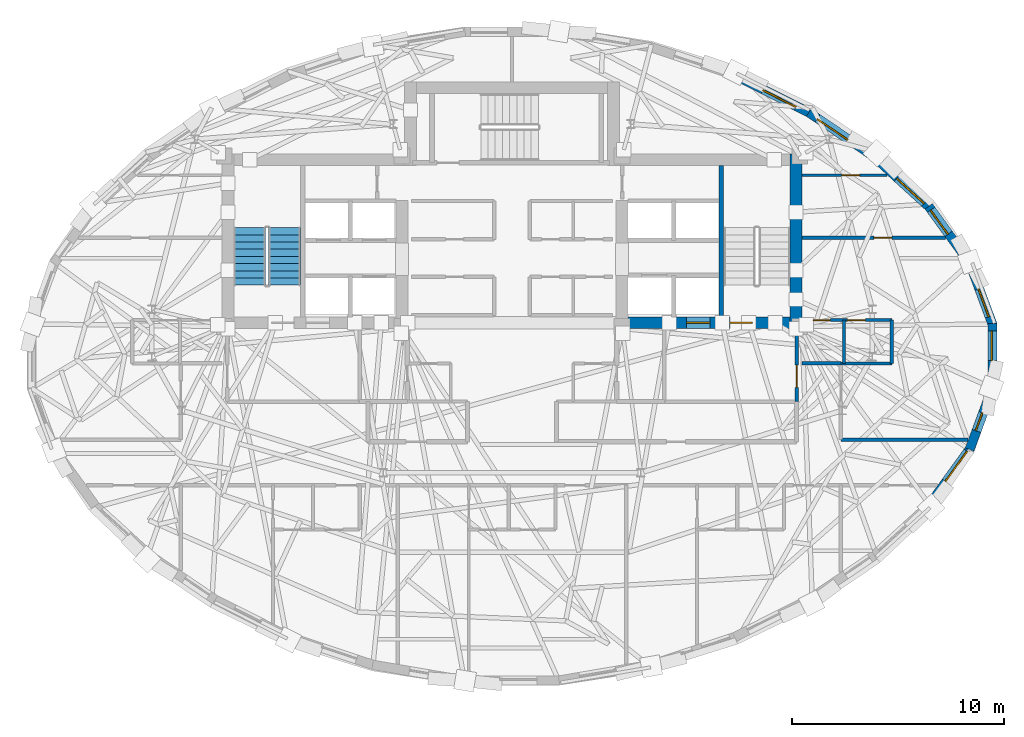
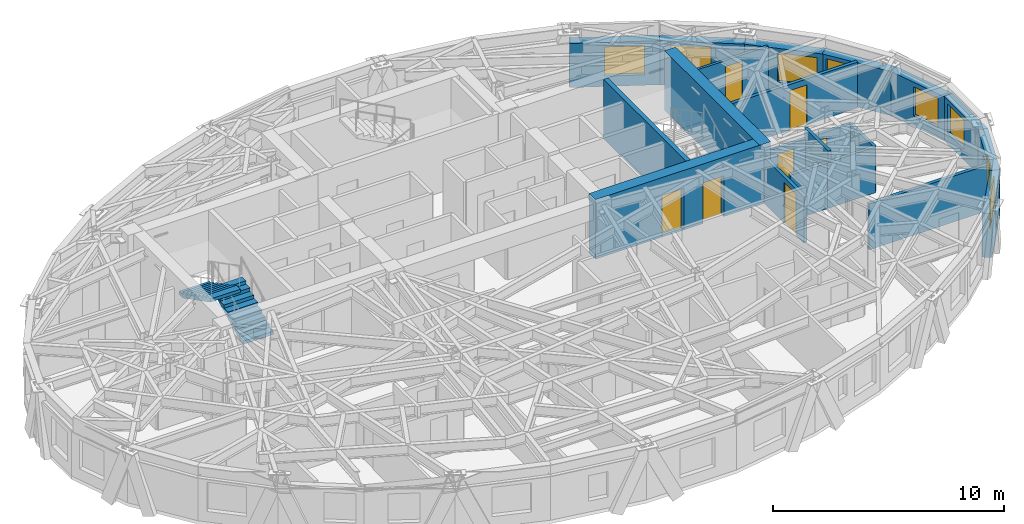
# One storey, part 10 of 14: 20 walls, 8 windows, 7 doors, 2 stair flights, 15 openings, 1 element without a shape of its own.
"""IFC4 building model written with IfcOpenShell, lengths in metres."""

from ifc_helpers import new_model, si_unit, direction, frame, frame_2d, origin, place, context, subcontext, project, spatial, polyline, rectangle, outline, extrude, material, layer, layer_set, type_object, element, fill, aggregate, save


model = new_model("IFC4")

# Units and contexts
model_context = context("Model", 3, precision=1e-05, world=origin(), true_north=direction((0.0, 1.0)))
body_context = subcontext(model_context, "Body", "Model", "MODEL_VIEW")
ifc_project = project(units=[si_unit("LENGTHUNIT", "METRE"), si_unit("AREAUNIT", "SQUARE_METRE"), si_unit("VOLUMEUNIT", "CUBIC_METRE"), si_unit("PLANEANGLEUNIT", "RADIAN"), si_unit("MASSUNIT", "GRAM", prefix="KILO")], contexts=[model_context])

# Site, building, storey
site_placement = place(None, origin())
site = spatial("IfcSite", under=ifc_project, at=site_placement, CompositionType="ELEMENT")
building_placement = place(site_placement, origin())
building = spatial("IfcBuilding", under=site, at=building_placement, Name="Keldmark Tower", CompositionType="ELEMENT")
storey_placement = place(building_placement, frame((0.0, 0.0, 222.60009765625)))
storey = spatial("IfcBuildingStorey", under=building, at=storey_placement, Name="L62", CompositionType="ELEMENT", Elevation=222.60009765625)

# Wall
ifc_material_1 = material(Name="Concrete C50/60", Category="concrete")
ifc_layer_1 = layer(ifc_material_1, 0.550048828125)
ifc_layer_set_1 = layer_set([ifc_layer_1], Name="Concrete C50/60")
wall_type_1 = type_object("IfcWallType", Name="High-Rise Core Shear Wall 550 mm", PredefinedType="SHEAR", material=ifc_layer_set_1)
wall_1_placement = place(storey_placement, frame((13.425048828125, 1.300048828125, 0.0), z_axis=(0.0, 0.0, 1.0), x_axis=(0.0, 1.0, 0.0)))
element("IfcWall", 1, at=wall_1_placement, inside=storey, type_object=wall_type_1, Name="L62 East Core Outer Shear Wall", PredefinedType="SHEAR", context=body_context, shape_type="SweptSolid", body=[
    extrude(rectangle(XDim=8.25, YDim=0.550048828125, at=frame_2d((4.125, 0.0))), origin(), (0.0, 0.0, 1.0), 3.14990234375),
])

# Wall, openings, doors
wall_2_placement = place(storey_placement, frame((13.699951171875, 1.574951171875, 0.0), z_axis=(0.0, 0.0, 1.0), x_axis=(-1.0, 0.0, 0.0)))
wall_2 = element("IfcWall", 2, at=wall_2_placement, inside=storey, type_object=wall_type_1, Name="L62 East Core South Shear Wall", PredefinedType="SHEAR", context=body_context, shape_type="SweptSolid", body=[
    extrude(rectangle(XDim=8.77490234375, YDim=0.550048828125, at=frame_2d((4.387451171875, 0.0))), origin(), (0.0, 0.0, 1.0), 3.14990234375),
])
opening_1_placement = place(wall_2_placement, frame((2.35009765625, 0.0, 0.0)))
opening_1 = element("IfcOpeningElement", 3, at=opening_1_placement, cuts=wall_2, Name="Opening D-ST105", PredefinedType="OPENING", context=body_context, shape_type="SweptSolid", body=[
    extrude(rectangle(XDim=1.050048828125, YDim=2.14990234375, at=frame_2d((0.52490234375, 1.074951171875))), frame((0.0, 0.284912109375, 0.0), z_axis=(0.0, -1.0, 0.0), x_axis=(1.0, 0.0, 0.0)), (0.0, 0.0, 1.0), 0.570068359375),
])
opening_2_placement = place(wall_2_placement, frame((4.35009765625, 0.0, 0.0)))
opening_2 = element("IfcOpeningElement", 4, at=opening_2_placement, cuts=wall_2, Name="Opening LD-110", PredefinedType="OPENING", context=body_context, shape_type="SweptSolid", body=[
    extrude(rectangle(XDim=1.10009765625, YDim=2.199951171875, at=frame_2d((0.550048828125, 1.10009765625))), frame((0.0, 0.284912109375, 0.0), z_axis=(0.0, -1.0, 0.0), x_axis=(1.0, 0.0, 0.0)), (0.0, 0.0, 1.0), 0.570068359375),
])
ifc_material_2 = material(Name="Brushed Bronze Hoistway Sliding Leaf", Category="metal")
door_type_1 = type_object("IfcDoorType", Name="Lift Landing Sliding Door 1100x2200", OperationType="SLIDING_TO_LEFT", PredefinedType="DOOR", material=ifc_material_2)
door_1_placement = place(opening_2_placement, origin())
door_1 = element("IfcDoor", 5, at=door_1_placement, inside=storey, type_object=door_type_1, Name="L62 Lift Landing Sliding Door 1100x2200 LD-EL-FS2-L62", OperationType="SLIDING_TO_LEFT", OverallHeight=2.199951171875, OverallWidth=1.10009765625, PredefinedType="DOOR", context=body_context, shape_type="SweptSolid", body=[
    extrude(rectangle(XDim=1.10009765625, YDim=2.199951171875, at=frame_2d((0.550048828125, 1.10009765625))), frame((0.0, 0.02490234375, 0.0), z_axis=(0.0, -1.0, 0.0), x_axis=(1.0, 0.0, 0.0)), (0.0, 0.0, 1.0), 0.050048828125),
])
fill(opening_2, door_1)
ifc_material_3 = material(Name="Hollow Metal Fire-Rated Door Assembly", Category="metal")
door_type_2 = type_object("IfcDoorType", Name="Stair Fire Door 1050x2150", OperationType="NOTDEFINED", PredefinedType="DOOR", material=ifc_material_3)
door_2_placement = place(opening_1_placement, origin())
door_2 = element("IfcDoor", 6, at=door_2_placement, inside=storey, type_object=door_type_2, Name="L62 Stair Fire Door 1050x2150 D-ST2-L62", OperationType="SINGLE_SWING_LEFT", OverallHeight=2.14990234375, OverallWidth=1.050048828125, PredefinedType="DOOR", context=body_context, shape_type="SweptSolid", body=[
    extrude(rectangle(XDim=1.050048828125, YDim=2.14990234375, at=frame_2d((0.52490234375, 1.074951171875))), frame((0.0, 0.02490234375, 0.0), z_axis=(0.0, -1.0, 0.0), x_axis=(1.0, 0.0, 0.0)), (0.0, 0.0, 1.0), 0.050048828125),
])
fill(opening_1, door_2)

# Wall, opening, door
ifc_material_4 = material(Name="Acoustic Gypsum Board Interior Partition", Category="gypsum")
ifc_layer_2 = layer(ifc_material_4, 0.1298828125)
ifc_layer_set_2 = layer_set([ifc_layer_2], Name="Acoustic Gypsum Board Interior Partition")
wall_type_2 = type_object("IfcWallType", Name="Interior Partition 130 mm", PredefinedType="PARTITIONING", material=ifc_layer_set_2)
wall_3_placement = place(storey_placement, frame((13.699951171875, 8.550048828125, 0.0), z_axis=(0.0, 0.0, 1.0), x_axis=(1.0, 0.0, 0.0)))
wall_3 = element("IfcWall", 7, at=wall_3_placement, inside=storey, type_object=wall_type_2, Name="L62 Interior Partition 130 mm UE-NDIV2", PredefinedType="PARTITIONING", context=body_context, shape_type="SweptSolid", body=[
    extrude(rectangle(XDim=4.036865234375, YDim=0.1298828125, at=frame_2d((2.0185546875, 0.0))), origin(), (0.0, 0.0, 1.0), 2.4228515625),
])
opening_3_placement = place(wall_3_placement, frame((1.87890625, 0.0, 0.0)))
opening_3 = element("IfcOpeningElement", 8, at=opening_3_placement, cuts=wall_3, Name="Opening D-IN085", PredefinedType="OPENING", context=body_context, shape_type="SweptSolid", body=[
    extrude(rectangle(XDim=0.85009765625, YDim=2.10009765625, at=frame_2d((0.425048828125, 1.050048828125))), frame((0.0, 0.074951171875, 0.0), z_axis=(0.0, -1.0, 0.0), x_axis=(1.0, 0.0, 0.0)), (0.0, 0.0, 1.0), 0.14990234375),
])
ifc_material_5 = material(Name="Painted Architectural Wood", Category="wood")
door_type_3 = type_object("IfcDoorType", Name="Interior Door 850x2100", OperationType="NOTDEFINED", PredefinedType="DOOR", material=ifc_material_5)
door_3_placement = place(opening_3_placement, origin())
door_3 = element("IfcDoor", 9, at=door_3_placement, inside=storey, type_object=door_type_3, Name="L62 Interior Door 850x2100 D-UE-BR2-L62", OperationType="SINGLE_SWING_RIGHT", OverallHeight=2.10009765625, OverallWidth=0.85009765625, PredefinedType="DOOR", context=body_context, shape_type="SweptSolid", body=[
    extrude(rectangle(XDim=0.85009765625, YDim=2.10009765625, at=frame_2d((0.425048828125, 1.050048828125))), frame((0.0, 0.02490234375, 0.0), z_axis=(0.0, -1.0, 0.0), x_axis=(1.0, 0.0, 0.0)), (0.0, 0.0, 1.0), 0.050048828125),
])
fill(opening_3, door_3)

ifc_material_6 = material(Name="Type X Fire-Rated Gypsum Partition Assembly", Category="gypsum")
ifc_layer_3 = layer(ifc_material_6, 0.1650390625)
ifc_layer_set_3 = layer_set([ifc_layer_3], Name="Type X Fire-Rated Gypsum Partition Assembly")
wall_type_3 = type_object("IfcWallType", Name="Rated Partition 165 mm", PredefinedType="PARTITIONING", material=ifc_layer_set_3)
wall_4_placement = place(storey_placement, frame((13.449951171875, -2.14990234375, 0.0), z_axis=(0.0, 0.0, 1.0), x_axis=(0.0, 1.0, 0.0)))
wall_4 = element("IfcWall", 10, at=wall_4_placement, inside=storey, type_object=wall_type_3, Name="L62 Rated Partition 165 mm FSAE-E-E", PredefinedType="PARTITIONING", context=body_context, shape_type="SweptSolid", body=[
    extrude(rectangle(XDim=3.5, YDim=0.1650390625, at=frame_2d((1.75, 0.0))), origin(), (0.0, 0.0, 1.0), 2.4228515625),
])
opening_4_placement = place(wall_4_placement, frame((0.669921875, 0.0, 0.0)))
opening_4 = element("IfcOpeningElement", 11, at=opening_4_placement, cuts=wall_4, Name="Opening D-FL105", PredefinedType="OPENING", context=body_context, shape_type="SweptSolid", body=[
    extrude(rectangle(XDim=1.050048828125, YDim=2.14990234375, at=frame_2d((0.52490234375, 1.074951171875))), frame((0.0, 0.092529296875, 0.0), z_axis=(0.0, -1.0, 0.0), x_axis=(1.0, 0.0, 0.0)), (0.0, 0.0, 1.0), 0.18505859375),
])
ifc_material_7 = material(Name="Fire-Rated Mineral-Core Door and Vision Lite", Category="metal")
door_type_4 = type_object("IfcDoorType", Name="Fire Lobby Door 1050x2150", OperationType="NOTDEFINED", PredefinedType="DOOR", material=ifc_material_7)
door_4_placement = place(opening_4_placement, origin())
door_4 = element("IfcDoor", 12, at=door_4_placement, inside=storey, type_object=door_type_4, Name="L62 Fire Lobby Door 1050x2150 D-FSAEE-OUT-L62", OperationType="SINGLE_SWING_RIGHT", OverallHeight=2.14990234375, OverallWidth=1.050048828125, PredefinedType="DOOR", context=body_context, shape_type="SweptSolid", body=[
    extrude(rectangle(XDim=1.050048828125, YDim=2.14990234375, at=frame_2d((0.52490234375, 1.074951171875))), frame((0.0, 0.02490234375, 0.0), z_axis=(0.0, -1.0, 0.0), x_axis=(1.0, 0.0, 0.0)), (0.0, 0.0, 1.0), 0.050048828125),
])
fill(opening_4, door_4)

# Walls
wall_5_placement = place(storey_placement, frame((15.550048828125, -3.949951171875, 0.0), z_axis=(0.0, 0.0, 1.0), x_axis=(1.0, 0.0, 0.0)))
element("IfcWall", 13, at=wall_5_placement, inside=storey, type_object=wall_type_3, Name="L62 Rated Partition 165 mm RCOR-EN-OUT", PredefinedType="PARTITIONING", context=body_context, shape_type="SweptSolid", body=[
    extrude(rectangle(XDim=6.012451171875, YDim=0.1650390625, at=frame_2d((3.00634765625, 0.0))), origin(), (0.0, 0.0, 1.0), 2.4228515625),
])
wall_6_placement = place(storey_placement, frame((13.699951171875, -0.35009765625, 0.0), z_axis=(0.0, 0.0, 1.0), x_axis=(1.0, 0.0, 0.0)))
element("IfcWall", 14, at=wall_6_placement, inside=storey, type_object=wall_type_3, Name="L62 Rated Partition 165 mm RCOR-VEN", PredefinedType="PARTITIONING", context=body_context, shape_type="SweptSolid", body=[
    extrude(rectangle(XDim=1.85009765625, YDim=0.1650390625, at=frame_2d((0.925048828125, 0.0))), origin(), (0.0, 0.0, 1.0), 2.4228515625),
])

# Wall, opening, door
wall_7_placement = place(storey_placement, frame((13.699951171875, 5.60009765625, 0.0), z_axis=(0.0, 0.0, 1.0), x_axis=(1.0, 0.0, 0.0)))
wall_7 = element("IfcWall", 15, at=wall_7_placement, inside=storey, type_object=wall_type_3, Name="L62 Rated Partition 165 mm RE-NDIV", PredefinedType="PARTITIONING", context=body_context, shape_type="SweptSolid", body=[
    extrude(rectangle(XDim=6.785400390625, YDim=0.1650390625, at=frame_2d((3.392578125, 0.0))), origin(), (0.0, 0.0, 1.0), 2.4228515625),
])
opening_5_placement = place(wall_7_placement, frame((3.405029296875, 0.0, 0.0)))
opening_5 = element("IfcOpeningElement", 16, at=opening_5_placement, cuts=wall_7, Name="Opening D-BR085", PredefinedType="OPENING", context=body_context, shape_type="SweptSolid", body=[
    extrude(rectangle(XDim=0.85009765625, YDim=2.10009765625, at=frame_2d((0.425048828125, 1.050048828125))), frame((0.0, 0.092529296875, 0.0), z_axis=(0.0, -1.0, 0.0), x_axis=(1.0, 0.0, 0.0)), (0.0, 0.0, 1.0), 0.18505859375),
])
ifc_material_8 = material(Name="Solid-Core Stained Walnut Wood", Category="wood")
door_type_5 = type_object("IfcDoorType", Name="Bedroom Door 850x2100", OperationType="NOTDEFINED", PredefinedType="DOOR", material=ifc_material_8)
door_5_placement = place(opening_5_placement, origin())
door_5 = element("IfcDoor", 17, at=door_5_placement, inside=storey, type_object=door_type_5, Name="L62 Bedroom Door 850x2100 D-UE-BR1-L62", OperationType="SINGLE_SWING_LEFT", OverallHeight=2.10009765625, OverallWidth=0.85009765625, PredefinedType="DOOR", context=body_context, shape_type="SweptSolid", body=[
    extrude(rectangle(XDim=0.85009765625, YDim=2.10009765625, at=frame_2d((0.425048828125, 1.050048828125))), frame((0.0, 0.02490234375, 0.0), z_axis=(0.0, -1.0, 0.0), x_axis=(1.0, 0.0, 0.0)), (0.0, 0.0, 1.0), 0.050048828125),
])
fill(opening_5, door_5)

# Wall
ifc_material_9 = material(Name="Concrete C50/60", Category="concrete")
ifc_layer_4 = layer(ifc_material_9, 0.219970703125)
ifc_layer_set_4 = layer_set([ifc_layer_4], Name="Concrete C50/60")
wall_type_4 = type_object("IfcWallType", Name="Stair Core Shear Wall 220 mm", PredefinedType="SHEAR", material=ifc_layer_set_4)
wall_8_placement = place(storey_placement, frame((9.889892578125, 1.85009765625, 0.0), z_axis=(0.0, 0.0, 1.0), x_axis=(0.0, 1.0, 0.0)))
element("IfcWall", 18, at=wall_8_placement, inside=storey, type_object=wall_type_4, Name="L62 East Stair Core Shear Wall", PredefinedType="SHEAR", context=body_context, shape_type="SweptSolid", body=[
    extrude(rectangle(XDim=7.14990234375, YDim=0.219970703125, at=frame_2d((3.574951171875, 0.0))), origin(), (0.0, 0.0, 1.0), 3.14990234375),
])

# Wall, opening, window
ifc_material_10 = material(Name="Ironspot Manganese Brick and Kasota Buff Limestone Spandrel Assembly", Category="masonry")
ifc_layer_5 = layer(ifc_material_10, 0.43994140625)
ifc_layer_set_5 = layer_set([ifc_layer_5], Name="Ironspot Manganese Brick and Kasota Buff Limestone Spandrel Assembly")
wall_type_5 = type_object("IfcWallType", Name="Tower Brick Pier and Spandrel Wall 440 mm", PredefinedType="STANDARD", material=ifc_layer_set_5)
wall_9_placement = place(storey_placement, frame((21.633056640625, 4.416748046875, 0.0), z_axis=(0.0, 0.0, 1.0), x_axis=(0.346755155412, -0.937955682426, 0.0)))
wall_9 = element("IfcWall", 19, at=wall_9_placement, inside=storey, type_object=wall_type_5, Name="L62 Exterior Brick and Spandrel Wall 01", PredefinedType="STANDARD", context=body_context, shape_type="SweptSolid", body=[
    extrude(rectangle(XDim=3.156982421875, YDim=0.43994140625, at=frame_2d((1.57861328125, 0.0))), origin(), (0.0, 0.0, 1.0), 2.3359375),
])
opening_6_placement = place(wall_9_placement, frame((1.314697265625, 0.0, 0.550048828125)))
opening_6 = element("IfcOpeningElement", 20, at=opening_6_placement, cuts=wall_9, Name="Opening W-08", PredefinedType="OPENING", context=body_context, shape_type="SweptSolid", body=[
    extrude(rectangle(XDim=1.39990234375, YDim=1.550048828125, at=frame_2d((0.699951171875, 0.77490234375))), frame((0.0, 0.22998046875, 0.0), z_axis=(0.0, -1.0, 0.0), x_axis=(1.0, 0.0, 0.0)), (0.0, 0.0, 1.0), 0.4599609375),
])
ifc_material_11 = material(Name="Thermally Broken Anodized Aluminum and Triple Low-E Argon Glazing", Category="aluminium")
window_type_1 = type_object("IfcWindowType", Name="Residential Corner Punched Window 1400x1550", PartitioningType="SINGLE_PANEL", PredefinedType="WINDOW", material=ifc_material_11)
window_1_placement = place(opening_6_placement, origin())
window_1 = element("IfcWindow", 21, at=window_1_placement, inside=storey, type_object=window_type_1, Name="L62 Deep-Set Window 01", OverallHeight=1.550048828125, OverallWidth=1.39990234375, PartitioningType="SINGLE_PANEL", PredefinedType="WINDOW", context=body_context, shape_type="SweptSolid", body=[
    extrude(rectangle(XDim=1.39990234375, YDim=1.550048828125, at=frame_2d((0.699951171875, 0.77490234375))), frame((0.0, -0.010009765625, 0.0), z_axis=(0.0, -1.0, 0.0), x_axis=(1.0, 0.0, 0.0)), (0.0, 0.0, 1.0), 0.06005859375),
])
fill(opening_6, window_1)

wall_10_placement = place(storey_placement, frame((19.6982421875, 7.076171875, 0.0), z_axis=(0.0, 0.0, 1.0), x_axis=(0.586344849721, -0.810061551492, 0.0)))
wall_10 = element("IfcWall", 22, at=wall_10_placement, inside=storey, type_object=wall_type_5, Name="L62 Exterior Brick and Spandrel Wall 02", PredefinedType="STANDARD", context=body_context, shape_type="SweptSolid", body=[
    extrude(rectangle(XDim=3.34814453125, YDim=0.43994140625, at=frame_2d((1.674072265625, 0.0))), origin(), (0.0, 0.0, 1.0), 2.3359375),
])
opening_7_placement = place(wall_10_placement, frame((0.199951171875, 0.0, 0.580078125)))
opening_7 = element("IfcOpeningElement", 23, at=opening_7_placement, cuts=wall_10, Name="Opening W-08", PredefinedType="OPENING", context=body_context, shape_type="SweptSolid", body=[
    extrude(rectangle(XDim=1.39990234375, YDim=1.550048828125, at=frame_2d((0.699951171875, 0.77490234375))), frame((0.0, 0.22998046875, 0.0), z_axis=(0.0, -1.0, 0.0), x_axis=(1.0, 0.0, 0.0)), (0.0, 0.0, 1.0), 0.4599609375),
])
window_2_placement = place(opening_7_placement, origin())
window_2 = element("IfcWindow", 24, at=window_2_placement, inside=storey, type_object=window_type_1, Name="L62 Deep-Set Window 02", OverallHeight=1.550048828125, OverallWidth=1.39990234375, PartitioningType="SINGLE_PANEL", PredefinedType="WINDOW", context=body_context, shape_type="SweptSolid", body=[
    extrude(rectangle(XDim=1.39990234375, YDim=1.550048828125, at=frame_2d((0.699951171875, 0.77490234375))), frame((0.0, -0.010009765625, 0.0), z_axis=(0.0, -1.0, 0.0), x_axis=(1.0, 0.0, 0.0)), (0.0, 0.0, 1.0), 0.06005859375),
])
fill(opening_7, window_2)

wall_11_placement = place(storey_placement, frame((17.101318359375, 9.43798828125, 0.0), z_axis=(0.0, 0.0, 1.0), x_axis=(0.738907573949, -0.673806795129, 0.0)))
wall_11 = element("IfcWall", 25, at=wall_11_placement, inside=storey, type_object=wall_type_5, Name="L62 Exterior Brick and Spandrel Wall 03", PredefinedType="STANDARD", context=body_context, shape_type="SweptSolid", body=[
    extrude(rectangle(XDim=3.55517578125, YDim=0.43994140625, at=frame_2d((1.777587890625, 0.0))), origin(), (0.0, 0.0, 1.0), 2.3359375),
])
opening_8_placement = place(wall_11_placement, frame((1.50830078125, 0.0, 0.550048828125)))
opening_8 = element("IfcOpeningElement", 26, at=opening_8_placement, cuts=wall_11, Name="Opening W-05", PredefinedType="OPENING", context=body_context, shape_type="SweptSolid", body=[
    extrude(rectangle(XDim=1.75, YDim=1.550048828125, at=frame_2d((0.875, 0.77490234375))), frame((0.0, 0.22998046875, 0.0), z_axis=(0.0, -1.0, 0.0), x_axis=(1.0, 0.0, 0.0)), (0.0, 0.0, 1.0), 0.4599609375),
])
ifc_material_12 = material(Name="Thermally Broken Anodized Aluminum and Triple Low-E Argon Glazing", Category="aluminium")
window_type_2 = type_object("IfcWindowType", Name="Residential Deep-Set Window 1750x1550", PartitioningType="DOUBLE_PANEL_VERTICAL", PredefinedType="WINDOW", material=ifc_material_12)
window_3_placement = place(opening_8_placement, origin())
window_3 = element("IfcWindow", 27, at=window_3_placement, inside=storey, type_object=window_type_2, Name="L62 Deep-Set Window 03", OverallHeight=1.550048828125, OverallWidth=1.75, PartitioningType="SINGLE_PANEL", PredefinedType="WINDOW", context=body_context, shape_type="SweptSolid", body=[
    extrude(rectangle(XDim=1.75, YDim=1.550048828125, at=frame_2d((0.875, 0.77490234375))), frame((0.0, -0.010009765625, 0.0), z_axis=(0.0, -1.0, 0.0), x_axis=(1.0, 0.0, 0.0)), (0.0, 0.0, 1.0), 0.06005859375),
])
fill(opening_8, window_3)

wall_12_placement = place(storey_placement, frame((14.032958984375, 11.516357421875, 0.0), z_axis=(0.0, 0.0, 1.0), x_axis=(0.827642668093, -0.561255391023, 0.0)))
wall_12 = element("IfcWall", 28, at=wall_12_placement, inside=storey, type_object=wall_type_5, Name="L62 Exterior Brick and Spandrel Wall 04", PredefinedType="STANDARD", context=body_context, shape_type="SweptSolid", body=[
    extrude(rectangle(XDim=3.737548828125, YDim=0.43994140625, at=frame_2d((1.86865234375, 0.0))), origin(), (0.0, 0.0, 1.0), 2.3359375),
])
opening_9_placement = place(wall_12_placement, frame((0.49755859375, 0.0, 0.550048828125)))
opening_9 = element("IfcOpeningElement", 29, at=opening_9_placement, cuts=wall_12, Name="Opening W-05", PredefinedType="OPENING", context=body_context, shape_type="SweptSolid", body=[
    extrude(rectangle(XDim=1.75, YDim=1.550048828125, at=frame_2d((0.875, 0.77490234375))), frame((0.0, 0.22998046875, 0.0), z_axis=(0.0, -1.0, 0.0), x_axis=(1.0, 0.0, 0.0)), (0.0, 0.0, 1.0), 0.4599609375),
])
window_4_placement = place(opening_9_placement, origin())
window_4 = element("IfcWindow", 30, at=window_4_placement, inside=storey, type_object=window_type_2, Name="L62 Deep-Set Window 04", OverallHeight=1.550048828125, OverallWidth=1.75, PartitioningType="SINGLE_PANEL", PredefinedType="WINDOW", context=body_context, shape_type="SweptSolid", body=[
    extrude(rectangle(XDim=1.75, YDim=1.550048828125, at=frame_2d((0.875, 0.77490234375))), frame((0.0, -0.010009765625, 0.0), z_axis=(0.0, -1.0, 0.0), x_axis=(1.0, 0.0, 0.0)), (0.0, 0.0, 1.0), 0.06005859375),
])
fill(opening_9, window_4)

wall_13_placement = place(storey_placement, frame((10.525146484375, 13.28369140625, 0.0), z_axis=(0.0, 0.0, 1.0), x_axis=(0.892866610217, -0.450321236851, 0.0)))
wall_13 = element("IfcWall", 31, at=wall_13_placement, inside=storey, type_object=wall_type_5, Name="L62 Exterior Brick and Spandrel Wall 05", PredefinedType="STANDARD", context=body_context, shape_type="SweptSolid", body=[
    extrude(rectangle(XDim=3.9560546875, YDim=0.43994140625, at=frame_2d((1.97802734375, 0.0))), origin(), (0.0, 0.0, 1.0), 2.3359375),
])
opening_10_placement = place(wall_13_placement, frame((1.517822265625, 0.0, 0.550048828125)))
opening_10 = element("IfcOpeningElement", 32, at=opening_10_placement, cuts=wall_13, Name="Opening W-05", PredefinedType="OPENING", context=body_context, shape_type="SweptSolid", body=[
    extrude(rectangle(XDim=1.75, YDim=1.550048828125, at=frame_2d((0.875, 0.77490234375))), frame((0.0, 0.22998046875, 0.0), z_axis=(0.0, -1.0, 0.0), x_axis=(1.0, 0.0, 0.0)), (0.0, 0.0, 1.0), 0.4599609375),
])
window_5_placement = place(opening_10_placement, origin())
window_5 = element("IfcWindow", 33, at=window_5_placement, inside=storey, type_object=window_type_2, Name="L62 Deep-Set Window 05", OverallHeight=1.550048828125, OverallWidth=1.75, PartitioningType="SINGLE_PANEL", PredefinedType="WINDOW", context=body_context, shape_type="SweptSolid", body=[
    extrude(rectangle(XDim=1.75, YDim=1.550048828125, at=frame_2d((0.875, 0.77490234375))), frame((0.0, -0.010009765625, 0.0), z_axis=(0.0, -1.0, 0.0), x_axis=(1.0, 0.0, 0.0)), (0.0, 0.0, 1.0), 0.06005859375),
])
fill(opening_10, window_5)

wall_14_placement = place(storey_placement, frame((21.661376953125, -4.364013671875, 0.0), z_axis=(0.0, 0.0, 1.0), x_axis=(-0.586344849721, -0.810061551492, 0.0)))
wall_14 = element("IfcWall", 34, at=wall_14_placement, inside=storey, type_object=wall_type_5, Name="L62 Exterior Brick and Spandrel Wall 30", PredefinedType="STANDARD", context=body_context, shape_type="SweptSolid", body=[
    extrude(rectangle(XDim=3.34814453125, YDim=0.43994140625, at=frame_2d((1.674072265625, 0.0))), origin(), (0.0, 0.0, 1.0), 2.3359375),
])
opening_11_placement = place(wall_14_placement, frame((0.199951171875, 0.0, 0.550048828125)))
opening_11 = element("IfcOpeningElement", 35, at=opening_11_placement, cuts=wall_14, Name="Opening W-05", PredefinedType="OPENING", context=body_context, shape_type="SweptSolid", body=[
    extrude(rectangle(XDim=1.75, YDim=1.550048828125, at=frame_2d((0.875, 0.77490234375))), frame((0.0, 0.22998046875, 0.0), z_axis=(0.0, -1.0, 0.0), x_axis=(1.0, 0.0, 0.0)), (0.0, 0.0, 1.0), 0.4599609375),
])
window_6_placement = place(opening_11_placement, origin())
window_6 = element("IfcWindow", 36, at=window_6_placement, inside=storey, type_object=window_type_2, Name="L62 Deep-Set Window 30", OverallHeight=1.550048828125, OverallWidth=1.75, PartitioningType="SINGLE_PANEL", PredefinedType="WINDOW", context=body_context, shape_type="SweptSolid", body=[
    extrude(rectangle(XDim=1.75, YDim=1.550048828125, at=frame_2d((0.875, 0.77490234375))), frame((0.0, -0.010009765625, 0.0), z_axis=(0.0, -1.0, 0.0), x_axis=(1.0, 0.0, 0.0)), (0.0, 0.0, 1.0), 0.06005859375),
])
fill(opening_11, window_6)

wall_15_placement = place(storey_placement, frame((22.727783203125, -1.45556640625, 0.0), z_axis=(0.0, 0.0, 1.0), x_axis=(-0.346755155412, -0.937955682426, 0.0)))
wall_15 = element("IfcWall", 37, at=wall_15_placement, inside=storey, type_object=wall_type_5, Name="L62 Exterior Brick and Spandrel Wall 31", PredefinedType="STANDARD", context=body_context, shape_type="SweptSolid", body=[
    extrude(rectangle(XDim=3.156982421875, YDim=0.43994140625, at=frame_2d((1.57861328125, 0.0))), origin(), (0.0, 0.0, 1.0), 2.3359375),
])
opening_12_placement = place(wall_15_placement, frame((1.323974609375, 0.0, 0.580078125)))
opening_12 = element("IfcOpeningElement", 38, at=opening_12_placement, cuts=wall_15, Name="Opening W-09", PredefinedType="OPENING", context=body_context, shape_type="SweptSolid", body=[
    extrude(rectangle(XDim=0.89990234375, YDim=1.35009765625, at=frame_2d((0.449951171875, 0.675048828125))), frame((0.0, 0.22998046875, 0.0), z_axis=(0.0, -1.0, 0.0), x_axis=(1.0, 0.0, 0.0)), (0.0, 0.0, 1.0), 0.4599609375),
])
ifc_material_13 = material(Name="Thermally Broken Anodized Aluminum and Triple Low-E Argon Glazing", Category="aluminium")
window_type_3 = type_object("IfcWindowType", Name="Corner Pier Deep-Set Window 900x1350", PartitioningType="SINGLE_PANEL", PredefinedType="WINDOW", material=ifc_material_13)
window_7_placement = place(opening_12_placement, origin())
window_7 = element("IfcWindow", 39, at=window_7_placement, inside=storey, type_object=window_type_3, Name="L62 Deep-Set Window 31", OverallHeight=1.35009765625, OverallWidth=0.89990234375, PartitioningType="SINGLE_PANEL", PredefinedType="WINDOW", context=body_context, shape_type="SweptSolid", body=[
    extrude(rectangle(XDim=0.89990234375, YDim=1.35009765625, at=frame_2d((0.449951171875, 0.675048828125))), frame((0.0, -0.010009765625, 0.0), z_axis=(0.0, -1.0, 0.0), x_axis=(1.0, 0.0, 0.0)), (0.0, 0.0, 1.0), 0.06005859375),
])
fill(opening_12, window_7)

wall_16_placement = place(storey_placement, frame((22.714111328125, 1.531982421875, 0.0), z_axis=(0.0, 0.0, 1.0), x_axis=(0.0, -1.0, 0.0)))
wall_16 = element("IfcWall", 40, at=wall_16_placement, inside=storey, type_object=wall_type_5, Name="L62 Exterior Brick and Spandrel Wall 32", PredefinedType="STANDARD", context=body_context, shape_type="SweptSolid", body=[
    extrude(rectangle(XDim=3.06396484375, YDim=0.43994140625, at=frame_2d((1.531982421875, 0.0))), origin(), (0.0, 0.0, 1.0), 2.3359375),
])
opening_13_placement = place(wall_16_placement, frame((0.345703125, 0.0, 0.580078125)))
opening_13 = element("IfcOpeningElement", 41, at=opening_13_placement, cuts=wall_16, Name="Opening W-08", PredefinedType="OPENING", context=body_context, shape_type="SweptSolid", body=[
    extrude(rectangle(XDim=1.39990234375, YDim=1.550048828125, at=frame_2d((0.699951171875, 0.77490234375))), frame((0.0, 0.22998046875, 0.0), z_axis=(0.0, -1.0, 0.0), x_axis=(1.0, 0.0, 0.0)), (0.0, 0.0, 1.0), 0.4599609375),
])
window_8_placement = place(opening_13_placement, origin())
window_8 = element("IfcWindow", 42, at=window_8_placement, inside=storey, type_object=window_type_1, Name="L62 Deep-Set Window 32", OverallHeight=1.550048828125, OverallWidth=1.39990234375, PartitioningType="SINGLE_PANEL", PredefinedType="WINDOW", context=body_context, shape_type="SweptSolid", body=[
    extrude(rectangle(XDim=1.39990234375, YDim=1.550048828125, at=frame_2d((0.699951171875, 0.77490234375))), frame((0.0, -0.010009765625, 0.0), z_axis=(0.0, -1.0, 0.0), x_axis=(1.0, 0.0, 0.0)), (0.0, 0.0, 1.0), 0.06005859375),
])
fill(opening_13, window_8)

# Wall, openings, doors
ifc_material_14 = material(Name="Moisture-Resistant Gypsum Plumbing Partition", Category="gypsum")
ifc_layer_6 = layer(ifc_material_14, 0.14990234375)
ifc_layer_set_6 = layer_set([ifc_layer_6], Name="Moisture-Resistant Gypsum Plumbing Partition")
wall_type_6 = type_object("IfcWallType", Name="Wet Wall 150 mm", PredefinedType="PLUMBINGWALL", material=ifc_layer_set_6)
wall_17_placement = place(storey_placement, frame((13.699951171875, 1.699951171875, 0.0), z_axis=(0.0, 0.0, 1.0), x_axis=(1.0, 0.0, 0.0)))
wall_17 = element("IfcWall", 43, at=wall_17_placement, inside=storey, type_object=wall_type_6, Name="L62 Wet Wall 150 mm UE-BK-N", PredefinedType="PLUMBINGWALL", context=body_context, shape_type="SweptSolid", body=[
    extrude(rectangle(XDim=4.25, YDim=0.14990234375, at=frame_2d((2.125, 0.0))), origin(), (0.0, 0.0, 1.0), 2.4228515625),
])
opening_14_placement = place(wall_17_placement, frame((0.550048828125, 0.0, 0.0)))
opening_14 = element("IfcOpeningElement", 44, at=opening_14_placement, cuts=wall_17, Name="Opening D-BT080", PredefinedType="OPENING", context=body_context, shape_type="SweptSolid", body=[
    extrude(rectangle(XDim=0.800048828125, YDim=2.10009765625, at=frame_2d((0.39990234375, 1.050048828125))), frame((0.0, 0.0849609375, 0.0), z_axis=(0.0, -1.0, 0.0), x_axis=(1.0, 0.0, 0.0)), (0.0, 0.0, 1.0), 0.169921875),
])
opening_15_placement = place(wall_17_placement, frame((2.14990234375, 0.0, 0.0)))
opening_15 = element("IfcOpeningElement", 45, at=opening_15_placement, cuts=wall_17, Name="Opening D-IN085", PredefinedType="OPENING", context=body_context, shape_type="SweptSolid", body=[
    extrude(rectangle(XDim=0.85009765625, YDim=2.10009765625, at=frame_2d((0.425048828125, 1.050048828125))), frame((0.0, 0.0849609375, 0.0), z_axis=(0.0, -1.0, 0.0), x_axis=(1.0, 0.0, 0.0)), (0.0, 0.0, 1.0), 0.169921875),
])
ifc_material_15 = material(Name="Moisture-Sealed Stained Wood", Category="wood")
door_type_6 = type_object("IfcDoorType", Name="Bathroom Door 800x2100", OperationType="NOTDEFINED", PredefinedType="DOOR", material=ifc_material_15)
door_6_placement = place(opening_14_placement, origin())
door_6 = element("IfcDoor", 46, at=door_6_placement, inside=storey, type_object=door_type_6, Name="L62 Bathroom Door 800x2100 D-UE-BATH-L62", OperationType="SINGLE_SWING_RIGHT", OverallHeight=2.10009765625, OverallWidth=0.800048828125, PredefinedType="DOOR", context=body_context, shape_type="SweptSolid", body=[
    extrude(rectangle(XDim=0.800048828125, YDim=2.10009765625, at=frame_2d((0.39990234375, 1.050048828125))), frame((0.0, 0.02490234375, 0.0), z_axis=(0.0, -1.0, 0.0), x_axis=(1.0, 0.0, 0.0)), (0.0, 0.0, 1.0), 0.050048828125),
])
fill(opening_14, door_6)
door_7_placement = place(opening_15_placement, origin())
door_7 = element("IfcDoor", 47, at=door_7_placement, inside=storey, type_object=door_type_3, Name="L62 Interior Door 850x2100 D-UE-KIT-L62", OperationType="SINGLE_SWING_LEFT", OverallHeight=2.10009765625, OverallWidth=0.85009765625, PredefinedType="DOOR", context=body_context, shape_type="SweptSolid", body=[
    extrude(rectangle(XDim=0.85009765625, YDim=2.10009765625, at=frame_2d((0.425048828125, 1.050048828125))), frame((0.0, 0.02490234375, 0.0), z_axis=(0.0, -1.0, 0.0), x_axis=(1.0, 0.0, 0.0)), (0.0, 0.0, 1.0), 0.050048828125),
])
fill(opening_15, door_7)

# Walls
wall_18_placement = place(storey_placement, frame((15.550048828125, -0.35009765625, 0.0), z_axis=(0.0, 0.0, 1.0), x_axis=(1.0, 0.0, 0.0)))
element("IfcWall", 48, at=wall_18_placement, inside=storey, type_object=wall_type_6, Name="L62 Wet Wall 150 mm UE-BK-S", PredefinedType="PLUMBINGWALL", context=body_context, shape_type="SweptSolid", body=[
    extrude(rectangle(XDim=2.39990234375, YDim=0.14990234375, at=frame_2d((1.199951171875, 0.0))), origin(), (0.0, 0.0, 1.0), 2.4228515625),
])
wall_19_placement = place(storey_placement, frame((15.699951171875, -0.35009765625, 0.0), z_axis=(0.0, 0.0, 1.0), x_axis=(0.0, 1.0, 0.0)))
element("IfcWall", 49, at=wall_19_placement, inside=storey, type_object=wall_type_6, Name="L62 Wet Wall 150 mm UE-BK-M", PredefinedType="PLUMBINGWALL", context=body_context, shape_type="SweptSolid", body=[
    extrude(rectangle(XDim=2.050048828125, YDim=0.14990234375, at=frame_2d((1.02490234375, 0.0))), origin(), (0.0, 0.0, 1.0), 2.969970703125),
])
wall_20_placement = place(storey_placement, frame((17.949951171875, -0.35009765625, 0.0), z_axis=(0.0, 0.0, 1.0), x_axis=(0.0, 1.0, 0.0)))
element("IfcWall", 50, at=wall_20_placement, inside=storey, type_object=wall_type_6, Name="L62 Wet Wall 150 mm UE-BK-OUT", PredefinedType="PLUMBINGWALL", context=body_context, shape_type="SweptSolid", body=[
    extrude(rectangle(XDim=2.050048828125, YDim=0.14990234375, at=frame_2d((1.02490234375, 0.0))), origin(), (0.0, 0.0, 1.0), 2.4228515625),
])

# Stair, stair flights
ifc_material_16 = material(Name="Concrete C40/50", Category="concrete")
stair_type = type_object("IfcStairType", Name="Precast Concrete Core Exit Stair", PredefinedType="HALF_TURN_STAIR", material=ifc_material_16)
stair_placement = place(storey_placement, origin())
stair = element("IfcStair", 51, at=stair_placement, inside=storey, type_object=stair_type, Name="L62 Exit Stair ST1", PredefinedType="HALF_TURN_STAIR")
ifc_material_17 = material(Name="Concrete C40/50", Category="concrete")
stair_flight_type = type_object("IfcStairFlightType", Name="Precast Concrete Stair Flight 1500 mm", PredefinedType="STRAIGHT", material=ifc_material_17)
stair_flight_1_placement = place(storey_placement, frame((-10.75, 3.35009765625, 0.0), z_axis=(0.0, 0.0, 1.0), x_axis=(0.0, 1.0, 0.0)))
stair_flight_1 = element("IfcStairFlight", 52, at=stair_flight_1_placement, type_object=stair_flight_type, Name="ST1 flight 1", NumberOfRisers=9, NumberOfTreads=8, PredefinedType="STRAIGHT", RiserHeight=0.175, TreadLength=0.34, context=body_context, shape_type="SweptSolid", body=[
    extrude(outline(polyline([(0.0, 0.0), (0.0, 0.175048828125), (0.340087890625, 0.175048828125), (0.340087890625, 0.35009765625), (0.679931640625, 0.35009765625), (0.679931640625, 0.52490234375), (1.02001953125, 0.52490234375), (1.02001953125, 0.699951171875), (1.360107421875, 0.699951171875), (1.360107421875, 0.875), (1.699951171875, 0.875), (1.699951171875, 1.050048828125), (2.0400390625, 1.050048828125), (2.0400390625, 1.22509765625), (2.3798828125, 1.22509765625), (2.3798828125, 1.39990234375), (2.719970703125, 1.39990234375), (2.719970703125, 1.574951171875), (2.719970703125, 1.2314453125), (0.32763671875, 0.0), (0.0, 0.0)])), frame((0.0, 0.75, 0.0), z_axis=(0.0, -1.0, 0.0), x_axis=(1.0, 0.0, 0.0)), (0.0, 0.0, 1.0), 1.5),
])
stair_flight_2_placement = place(storey_placement, frame((-12.39990234375, 6.070068359375, 1.574951171875), z_axis=(0.0, 0.0, 1.0), x_axis=(0.0, -1.0, 0.0)))
stair_flight_2 = element("IfcStairFlight", 53, at=stair_flight_2_placement, type_object=stair_flight_type, Name="ST1 flight 2", NumberOfRisers=9, NumberOfTreads=8, PredefinedType="STRAIGHT", RiserHeight=0.175, TreadLength=0.34, context=body_context, shape_type="SweptSolid", body=[
    extrude(outline(polyline([(0.0, 0.0), (0.0, 0.175048828125), (0.340087890625, 0.175048828125), (0.340087890625, 0.35009765625), (0.679931640625, 0.35009765625), (0.679931640625, 0.52490234375), (1.02001953125, 0.52490234375), (1.02001953125, 0.699951171875), (1.360107421875, 0.699951171875), (1.360107421875, 0.875), (1.699951171875, 0.875), (1.699951171875, 1.050048828125), (2.0400390625, 1.050048828125), (2.0400390625, 1.22509765625), (2.3798828125, 1.22509765625), (2.3798828125, 1.39990234375), (2.719970703125, 1.39990234375), (2.719970703125, 1.574951171875), (2.719970703125, 1.2314453125), (0.32763671875, 0.0), (0.0, 0.0)])), frame((0.0, 0.75, 0.0), z_axis=(0.0, -1.0, 0.0), x_axis=(1.0, 0.0, 0.0)), (0.0, 0.0, 1.0), 1.5),
])
aggregate(stair, [stair_flight_1, stair_flight_2])

save(model, "model.ifc")
